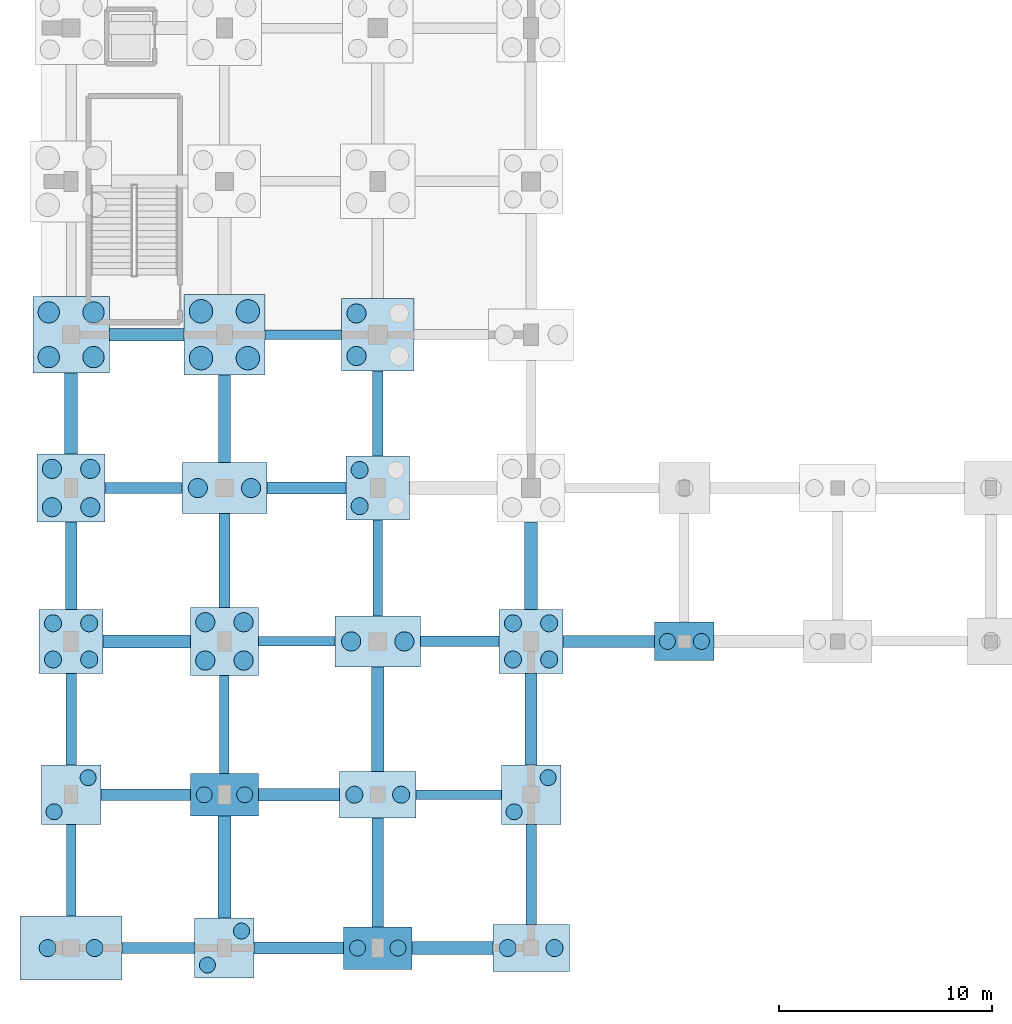
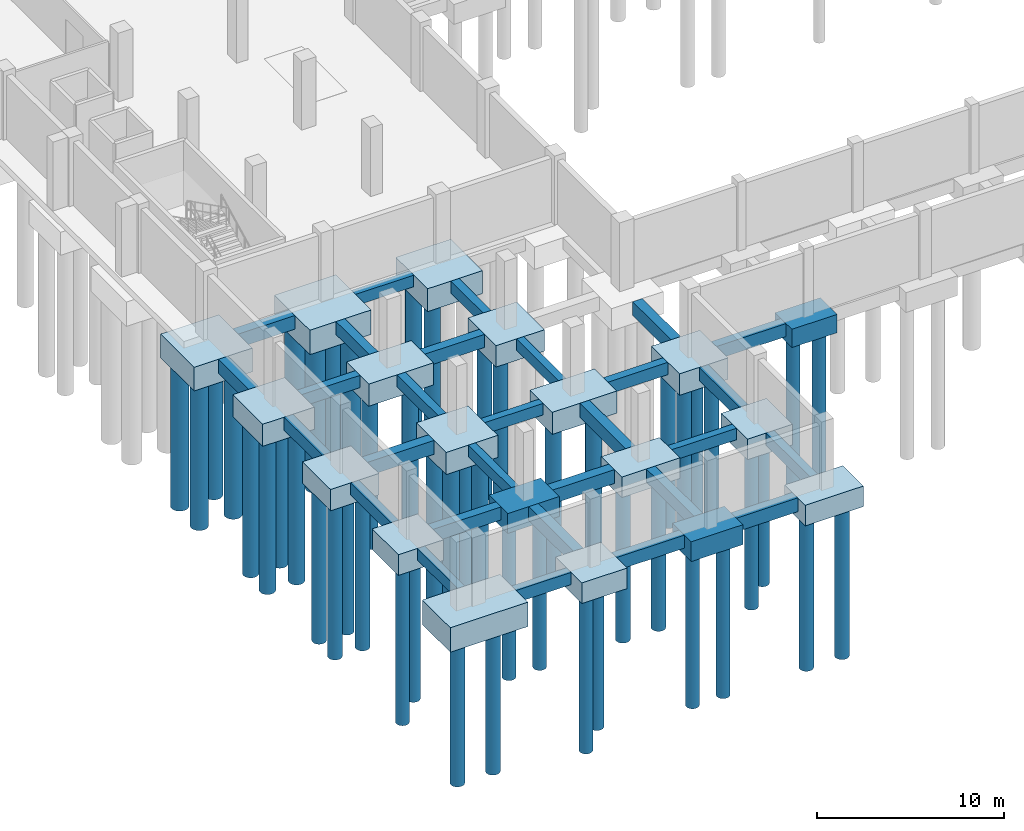
# One storey, part 1 of 35: 50 piles, 48 footings.
"""IFC4 building model written with IfcOpenShell, lengths in metres."""

from ifc_helpers import new_model, si_unit, direction, frame, origin, origin_2d, place, context, subcontext, project, spatial, rectangle, circle, extrude, material, material_profile, profile_set, type_object, element, save


model = new_model("IFC4")

# Units and contexts
model_context = context("Model", 3, precision=1e-05, world=origin(), true_north=direction((0.0, 1.0)))
body_context = subcontext(model_context, "Body", "Model", "MODEL_VIEW")
ifc_project = project(units=[si_unit("LENGTHUNIT", "METRE"), si_unit("AREAUNIT", "SQUARE_METRE"), si_unit("VOLUMEUNIT", "CUBIC_METRE"), si_unit("PLANEANGLEUNIT", "RADIAN"), si_unit("MASSUNIT", "GRAM", prefix="KILO")], contexts=[model_context])

# Site, building, storey
site_placement = place(None, origin())
site = spatial("IfcSite", under=ifc_project, at=site_placement, CompositionType="ELEMENT")
building_placement = place(site_placement, origin())
building = spatial("IfcBuilding", under=site, at=building_placement, Name="Kalluvel Institute of Natural Sciences", CompositionType="ELEMENT")
storey_placement = place(building_placement, frame((0.0, 0.0, -4.5)))
storey = spatial("IfcBuildingStorey", under=building, at=storey_placement, Name="B1", CompositionType="ELEMENT", Elevation=-4.5)

# Footings
ifc_material = material(Name="Concrete M40", Category="concrete")
footing_type_1 = type_object("IfcFootingType", Name="FB-450x750", PredefinedType="FOOTING_BEAM", material=ifc_material)
footing_1_placement = place(storey_placement, frame((32.199951171875, 21.199951171875, -0.75), z_axis=(0.0, 0.0, 1.0), x_axis=(1.0, 0.0, 0.0)))
element("IfcFooting", 1, at=footing_1_placement, inside=storey, type_object=footing_type_1, Name="Foundation tie beam GB-X-012", PredefinedType="FOOTING_BEAM", context=body_context, shape_type="SweptSolid", body=[
    extrude(rectangle(XDim=4.0, YDim=0.449951171875, at=origin_2d()), origin(), (0.0, 0.0, 1.0), 0.75),
])
for number, where, z_axis, x_axis, name in (
    (2, (24.60009765625, 28.39990234375, -0.75), (0.0, 0.0, 1.0), (1.0, 0.0, 0.0), "Foundation tie beam GB-X-016"),
    (3, (24.89990234375, 42.800048828125, -1.199951171875), (0.0, 0.0, 1.0), (1.0, 0.0, 0.0), "Foundation tie beam GB-X-048"),
):
    element("IfcFooting", number, at=place(storey_placement, frame(where, z_axis=z_axis, x_axis=x_axis)), inside=storey, type_object=footing_type_1, Name=name, PredefinedType="FOOTING_BEAM", context=body_context, shape_type="SweptSolid", body=[
        extrude(rectangle(XDim=3.60009765625, YDim=0.449951171875, at=origin_2d()), origin(), (0.0, 0.0, 1.0), 0.75),
    ])
footing_2_placement = place(storey_placement, frame((14.0, 17.64990234375, -0.75), z_axis=(0.0, 0.0, 1.0), x_axis=(1.0, 0.0, 0.0)))
element("IfcFooting", 4, at=footing_2_placement, inside=storey, type_object=footing_type_1, Name="Foundation tie beam GB-Y-196", PredefinedType="FOOTING_BEAM", context=body_context, shape_type="SweptSolid", body=[
    extrude(rectangle(XDim=0.449951171875, YDim=4.300048828125, at=origin_2d()), origin(), (0.0, 0.0, 1.0), 0.75),
])
footing_3_placement = place(storey_placement, frame((21.199951171875, 24.5, -0.75), z_axis=(0.0, 0.0, 1.0), x_axis=(1.0, 0.0, 0.0)))
element("IfcFooting", 5, at=footing_3_placement, inside=storey, type_object=footing_type_1, Name="Foundation tie beam GB-Y-212", PredefinedType="FOOTING_BEAM", context=body_context, shape_type="SweptSolid", body=[
    extrude(rectangle(XDim=0.449951171875, YDim=4.60009765625, at=origin_2d()), origin(), (0.0, 0.0, 1.0), 0.75),
])
footing_4_placement = place(storey_placement, frame((28.39990234375, 31.85009765625, -0.75), z_axis=(0.0, 0.0, 1.0), x_axis=(1.0, 0.0, 0.0)))
element("IfcFooting", 6, at=footing_4_placement, inside=storey, type_object=footing_type_1, Name="Foundation tie beam GB-Y-228", PredefinedType="FOOTING_BEAM", context=body_context, shape_type="SweptSolid", body=[
    extrude(rectangle(XDim=0.449951171875, YDim=4.5, at=origin_2d()), origin(), (0.0, 0.0, 1.0), 0.75),
])
footing_type_2 = type_object("IfcFootingType", Name="FB-500x800", PredefinedType="FOOTING_BEAM", material=ifc_material)
footing_5_placement = place(storey_placement, frame((18.10009765625, 14.0, -0.7998046875), z_axis=(0.0, 0.0, 1.0), x_axis=(1.0, 0.0, 0.0)))
element("IfcFooting", 7, at=footing_5_placement, inside=storey, type_object=footing_type_2, Name="Foundation tie beam GB-X-001", PredefinedType="FOOTING_BEAM", context=body_context, shape_type="SweptSolid", body=[
    extrude(rectangle(XDim=3.39990234375, YDim=0.5, at=origin_2d()), origin(), (0.0, 0.0, 1.0), 0.800048828125),
])
footing_6_placement = place(storey_placement, frame((32.25, 28.39990234375, -0.7998046875), z_axis=(0.0, 0.0, 1.0), x_axis=(1.0, 0.0, 0.0)))
element("IfcFooting", 8, at=footing_6_placement, inside=storey, type_object=footing_type_2, Name="Foundation tie beam GB-X-017", PredefinedType="FOOTING_BEAM", context=body_context, shape_type="SweptSolid", body=[
    extrude(rectangle(XDim=3.699951171875, YDim=0.5, at=origin_2d()), origin(), (0.0, 0.0, 1.0), 0.800048828125),
])
footing_7_placement = place(storey_placement, frame((17.39990234375, 35.60009765625, -0.7998046875), z_axis=(0.0, 0.0, 1.0), x_axis=(1.0, 0.0, 0.0)))
element("IfcFooting", 9, at=footing_7_placement, inside=storey, type_object=footing_type_2, Name="Foundation tie beam GB-X-029", PredefinedType="FOOTING_BEAM", context=body_context, shape_type="SweptSolid", body=[
    extrude(rectangle(XDim=3.60009765625, YDim=0.5, at=origin_2d()), origin(), (0.0, 0.0, 1.0), 0.800048828125),
])
footing_8_placement = place(storey_placement, frame((14.0, 24.75, -0.7998046875), z_axis=(0.0, 0.0, 1.0), x_axis=(1.0, 0.0, 0.0)))
element("IfcFooting", 10, at=footing_8_placement, inside=storey, type_object=footing_type_2, Name="Foundation tie beam GB-Y-197", PredefinedType="FOOTING_BEAM", context=body_context, shape_type="SweptSolid", body=[
    extrude(rectangle(XDim=0.5, YDim=4.300048828125, at=origin_2d()), origin(), (0.0, 0.0, 1.0), 0.800048828125),
])
footing_9_placement = place(storey_placement, frame((21.199951171875, 32.199951171875, -0.7998046875), z_axis=(0.0, 0.0, 1.0), x_axis=(1.0, 0.0, 0.0)))
element("IfcFooting", 11, at=footing_9_placement, inside=storey, type_object=footing_type_2, Name="Foundation tie beam GB-Y-213", PredefinedType="FOOTING_BEAM", context=body_context, shape_type="SweptSolid", body=[
    extrude(rectangle(XDim=0.5, YDim=4.39990234375, at=origin_2d()), origin(), (0.0, 0.0, 1.0), 0.800048828125),
])
footing_10_placement = place(storey_placement, frame((28.39990234375, 39.10009765625, -1.25), z_axis=(0.0, 0.0, 1.0), x_axis=(1.0, 0.0, 0.0)))
element("IfcFooting", 12, at=footing_10_placement, inside=storey, type_object=footing_type_2, Name="Foundation tie beam GB-Y-229", PredefinedType="FOOTING_BEAM", context=body_context, shape_type="SweptSolid", body=[
    extrude(rectangle(XDim=0.5, YDim=4.0, at=origin_2d()), origin(), (0.0, 0.0, 1.0), 0.800048828125),
])
footing_11_placement = place(storey_placement, frame((35.60009765625, 17.449951171875, -0.7998046875), z_axis=(0.0, 0.0, 1.0), x_axis=(1.0, 0.0, 0.0)))
element("IfcFooting", 13, at=footing_11_placement, inside=storey, type_object=footing_type_2, Name="Foundation tie beam GB-Y-241", PredefinedType="FOOTING_BEAM", context=body_context, shape_type="SweptSolid", body=[
    extrude(rectangle(XDim=0.5, YDim=4.699951171875, at=origin_2d()), origin(), (0.0, 0.0, 1.0), 0.800048828125),
])
footing_type_3 = type_object("IfcFootingType", Name="FB-550x850", PredefinedType="FOOTING_BEAM", material=ifc_material)
for number, where, z_axis, x_axis, name in (
    (14, (24.699951171875, 14.0, -0.85009765625), (0.0, 0.0, 1.0), (1.0, 0.0, 0.0), "Foundation tie beam GB-X-002"),
    (15, (17.5, 21.199951171875, -0.85009765625), (0.0, 0.0, 1.0), (1.0, 0.0, 0.0), "Foundation tie beam GB-X-010"),
):
    element("IfcFooting", number, at=place(storey_placement, frame(where, z_axis=z_axis, x_axis=x_axis)), inside=storey, type_object=footing_type_3, Name=name, PredefinedType="FOOTING_BEAM", context=body_context, shape_type="SweptSolid", body=[
        extrude(rectangle(XDim=4.199951171875, YDim=0.550048828125, at=origin_2d()), origin(), (0.0, 0.0, 1.0), 0.85009765625),
    ])
footing_12_placement = place(storey_placement, frame((39.25, 28.39990234375, -0.85009765625), z_axis=(0.0, 0.0, 1.0), x_axis=(1.0, 0.0, 0.0)))
element("IfcFooting", 16, at=footing_12_placement, inside=storey, type_object=footing_type_3, Name="Foundation tie beam GB-X-018", PredefinedType="FOOTING_BEAM", context=body_context, shape_type="SweptSolid", body=[
    extrude(rectangle(XDim=4.300048828125, YDim=0.550048828125, at=origin_2d()), origin(), (0.0, 0.0, 1.0), 0.85009765625),
])
footing_13_placement = place(storey_placement, frame((25.050048828125, 35.60009765625, -0.85009765625), z_axis=(0.0, 0.0, 1.0), x_axis=(1.0, 0.0, 0.0)))
element("IfcFooting", 17, at=footing_13_placement, inside=storey, type_object=footing_type_3, Name="Foundation tie beam GB-X-030", PredefinedType="FOOTING_BEAM", context=body_context, shape_type="SweptSolid", body=[
    extrude(rectangle(XDim=3.699951171875, YDim=0.550048828125, at=origin_2d()), origin(), (0.0, 0.0, 1.0), 0.85009765625),
])
for number, where, z_axis, x_axis, name in (
    (18, (14.0, 31.949951171875, -0.85009765625), (0.0, 0.0, 1.0), (1.0, 0.0, 0.0), "Foundation tie beam GB-Y-198"),
    (19, (21.199951171875, 38.85009765625, -1.300048828125), (0.0, 0.0, 1.0), (1.0, 0.0, 0.0), "Foundation tie beam GB-Y-214"),
):
    element("IfcFooting", number, at=place(storey_placement, frame(where, z_axis=z_axis, x_axis=x_axis)), inside=storey, type_object=footing_type_3, Name=name, PredefinedType="FOOTING_BEAM", context=body_context, shape_type="SweptSolid", body=[
        extrude(rectangle(XDim=0.550048828125, YDim=4.10009765625, at=origin_2d()), origin(), (0.0, 0.0, 1.0), 0.85009765625),
    ])
footing_14_placement = place(storey_placement, frame((28.39990234375, 17.550048828125, -0.85009765625), z_axis=(0.0, 0.0, 1.0), x_axis=(1.0, 0.0, 0.0)))
element("IfcFooting", 20, at=footing_14_placement, inside=storey, type_object=footing_type_3, Name="Foundation tie beam GB-Y-226", PredefinedType="FOOTING_BEAM", context=body_context, shape_type="SweptSolid", body=[
    extrude(rectangle(XDim=0.550048828125, YDim=5.10009765625, at=origin_2d()), origin(), (0.0, 0.0, 1.0), 0.85009765625),
])
footing_15_placement = place(storey_placement, frame((35.60009765625, 24.75, -0.85009765625), z_axis=(0.0, 0.0, 1.0), x_axis=(1.0, 0.0, 0.0)))
element("IfcFooting", 21, at=footing_15_placement, inside=storey, type_object=footing_type_3, Name="Foundation tie beam GB-Y-242", PredefinedType="FOOTING_BEAM", context=body_context, shape_type="SweptSolid", body=[
    extrude(rectangle(XDim=0.550048828125, YDim=4.300048828125, at=origin_2d()), origin(), (0.0, 0.0, 1.0), 0.85009765625),
])
footing_type_4 = type_object("IfcFootingType", Name="FB-600x900", PredefinedType="FOOTING_BEAM", material=ifc_material)
for number, where, z_axis, x_axis, name in (
    (22, (31.89990234375, 14.0, -0.89990234375), (0.0, 0.0, 1.0), (1.0, 0.0, 0.0), "Foundation tie beam GB-X-003"),
    (23, (24.699951171875, 21.199951171875, -0.89990234375), (0.0, 0.0, 1.0), (1.0, 0.0, 0.0), "Foundation tie beam GB-X-011"),
):
    element("IfcFooting", number, at=place(storey_placement, frame(where, z_axis=z_axis, x_axis=x_axis)), inside=storey, type_object=footing_type_4, Name=name, PredefinedType="FOOTING_BEAM", context=body_context, shape_type="SweptSolid", body=[
        extrude(rectangle(XDim=3.800048828125, YDim=0.60009765625, at=origin_2d()), origin(), (0.0, 0.0, 1.0), 0.89990234375),
    ])
footing_16_placement = place(storey_placement, frame((17.550048828125, 28.39990234375, -0.89990234375), z_axis=(0.0, 0.0, 1.0), x_axis=(1.0, 0.0, 0.0)))
element("IfcFooting", 24, at=footing_16_placement, inside=storey, type_object=footing_type_4, Name="Foundation tie beam GB-X-015", PredefinedType="FOOTING_BEAM", context=body_context, shape_type="SweptSolid", body=[
    extrude(rectangle(XDim=4.10009765625, YDim=0.60009765625, at=origin_2d()), origin(), (0.0, 0.0, 1.0), 0.89990234375),
])
footing_17_placement = place(storey_placement, frame((17.550048828125, 42.800048828125, -1.349853515625), z_axis=(0.0, 0.0, 1.0), x_axis=(1.0, 0.0, 0.0)))
element("IfcFooting", 25, at=footing_17_placement, inside=storey, type_object=footing_type_4, Name="Foundation tie beam GB-X-047", PredefinedType="FOOTING_BEAM", context=body_context, shape_type="SweptSolid", body=[
    extrude(rectangle(XDim=3.5, YDim=0.60009765625, at=origin_2d()), origin(), (0.0, 0.0, 1.0), 0.89990234375),
])
footing_18_placement = place(storey_placement, frame((14.0, 39.10009765625, -1.349853515625), z_axis=(0.0, 0.0, 1.0), x_axis=(1.0, 0.0, 0.0)))
element("IfcFooting", 26, at=footing_18_placement, inside=storey, type_object=footing_type_4, Name="Foundation tie beam GB-Y-199", PredefinedType="FOOTING_BEAM", context=body_context, shape_type="SweptSolid", body=[
    extrude(rectangle(XDim=0.60009765625, YDim=3.800048828125, at=origin_2d()), origin(), (0.0, 0.0, 1.0), 0.89990234375),
])
footing_19_placement = place(storey_placement, frame((21.199951171875, 17.800048828125, -0.89990234375), z_axis=(0.0, 0.0, 1.0), x_axis=(1.0, 0.0, 0.0)))
element("IfcFooting", 27, at=footing_19_placement, inside=storey, type_object=footing_type_4, Name="Foundation tie beam GB-Y-211", PredefinedType="FOOTING_BEAM", context=body_context, shape_type="SweptSolid", body=[
    extrude(rectangle(XDim=0.60009765625, YDim=4.800048828125, at=origin_2d()), origin(), (0.0, 0.0, 1.0), 0.89990234375),
])
footing_20_placement = place(storey_placement, frame((28.39990234375, 24.75, -0.89990234375), z_axis=(0.0, 0.0, 1.0), x_axis=(1.0, 0.0, 0.0)))
element("IfcFooting", 28, at=footing_20_placement, inside=storey, type_object=footing_type_4, Name="Foundation tie beam GB-Y-227", PredefinedType="FOOTING_BEAM", context=body_context, shape_type="SweptSolid", body=[
    extrude(rectangle(XDim=0.60009765625, YDim=4.89990234375, at=origin_2d()), origin(), (0.0, 0.0, 1.0), 0.89990234375),
])
footing_21_placement = place(storey_placement, frame((35.60009765625, 31.949951171875, -0.89990234375), z_axis=(0.0, 0.0, 1.0), x_axis=(1.0, 0.0, 0.0)))
element("IfcFooting", 29, at=footing_21_placement, inside=storey, type_object=footing_type_4, Name="Foundation tie beam GB-Y-243", PredefinedType="FOOTING_BEAM", context=body_context, shape_type="SweptSolid", body=[
    extrude(rectangle(XDim=0.60009765625, YDim=4.10009765625, at=origin_2d()), origin(), (0.0, 0.0, 1.0), 0.89990234375),
])
footing_type_5 = type_object("IfcFootingType", Name="PC-2800x1800x1200", PredefinedType="PILE_CAP", material=ifc_material)
footing_22_placement = place(storey_placement, frame((42.800048828125, 28.39990234375, -1.2001953125), z_axis=(0.0, 0.0, 1.0), x_axis=(1.0, 0.0, 0.0)))
element("IfcFooting", 30, at=footing_22_placement, inside=storey, type_object=footing_type_5, Name="Pile cap CAP-065", PredefinedType="PILE_CAP", context=body_context, shape_type="SweptSolid", body=[
    extrude(rectangle(XDim=2.800048828125, YDim=1.800048828125, at=origin_2d()), origin(), (0.0, 0.0, 1.0), 1.199951171875),
])
footing_type_6 = type_object("IfcFootingType", Name="PC-2800x2800x1350", PredefinedType="PILE_CAP", material=ifc_material)
for number, where, z_axis, x_axis, name in (
    (31, (14.0, 21.199951171875, -1.35009765625), (0.0, 0.0, 1.0), (1.0, 0.0, 0.0), "Pile cap CAP-002"),
    (32, (21.199951171875, 14.0, -1.35009765625), (0.0, 0.0, 1.0), (1.0, 0.0, 0.0), "Pile cap CAP-017"),
    (33, (35.60009765625, 21.199951171875, -1.35009765625), (0.0, 0.0, 1.0), (1.0, 0.0, 0.0), "Pile cap CAP-050"),
):
    element("IfcFooting", number, at=place(storey_placement, frame(where, z_axis=z_axis, x_axis=x_axis)), inside=storey, type_object=footing_type_6, Name=name, PredefinedType="PILE_CAP", context=body_context, shape_type="SweptSolid", body=[
        extrude(rectangle(XDim=2.800048828125, YDim=2.800048828125, at=origin_2d()), origin(), (0.0, 0.0, 1.0), 1.35009765625),
    ])
footing_type_7 = type_object("IfcFootingType", Name="PC-3000x3000x1400", PredefinedType="PILE_CAP", material=ifc_material)
for number, where, z_axis, x_axis, name in (
    (34, (14.0, 28.39990234375, -1.39990234375), (0.0, 0.0, 1.0), (1.0, 0.0, 0.0), "Pile cap CAP-003"),
    (35, (28.39990234375, 35.60009765625, -1.39990234375), (0.0, 0.0, 1.0), (1.0, 0.0, 0.0), "Pile cap CAP-036"),
    (36, (35.60009765625, 28.39990234375, -1.39990234375), (0.0, 0.0, 1.0), (1.0, 0.0, 0.0), "Pile cap CAP-051"),
):
    element("IfcFooting", number, at=place(storey_placement, frame(where, z_axis=z_axis, x_axis=x_axis)), inside=storey, type_object=footing_type_7, Name=name, PredefinedType="PILE_CAP", context=body_context, shape_type="SweptSolid", body=[
        extrude(rectangle(XDim=3.0, YDim=3.0, at=origin_2d()), origin(), (0.0, 0.0, 1.0), 1.39990234375),
    ])
footing_type_8 = type_object("IfcFootingType", Name="PC-3200x2000x1300", PredefinedType="PILE_CAP", material=ifc_material)
for number, where, z_axis, x_axis, name in (
    (37, (21.199951171875, 21.199951171875, -1.2998046875), (0.0, 0.0, 1.0), (1.0, 0.0, 0.0), "Pile cap CAP-018"),
    (38, (28.39990234375, 14.0, -1.2998046875), (0.0, 0.0, 1.0), (1.0, 0.0, 0.0), "Pile cap CAP-033"),
):
    element("IfcFooting", number, at=place(storey_placement, frame(where, z_axis=z_axis, x_axis=x_axis)), inside=storey, type_object=footing_type_8, Name=name, PredefinedType="PILE_CAP", context=body_context, shape_type="SweptSolid", body=[
        extrude(rectangle(XDim=3.199951171875, YDim=2.0, at=origin_2d()), origin(), (0.0, 0.0, 1.0), 1.300048828125),
    ])
footing_type_9 = type_object("IfcFootingType", Name="PC-3200x3200x1450", PredefinedType="PILE_CAP", material=ifc_material)
for number, where, z_axis, x_axis, name in (
    (39, (14.0, 35.60009765625, -1.4501953125), (0.0, 0.0, 1.0), (1.0, 0.0, 0.0), "Pile cap CAP-004"),
    (40, (21.199951171875, 28.39990234375, -1.4501953125), (0.0, 0.0, 1.0), (1.0, 0.0, 0.0), "Pile cap CAP-019"),
):
    element("IfcFooting", number, at=place(storey_placement, frame(where, z_axis=z_axis, x_axis=x_axis)), inside=storey, type_object=footing_type_9, Name=name, PredefinedType="PILE_CAP", context=body_context, shape_type="SweptSolid", body=[
        extrude(rectangle(XDim=3.199951171875, YDim=3.199951171875, at=origin_2d()), origin(), (0.0, 0.0, 1.0), 1.449951171875),
    ])
footing_type_10 = type_object("IfcFootingType", Name="PC-3400x3400x1500", PredefinedType="PILE_CAP", material=ifc_material)
footing_23_placement = place(storey_placement, frame((28.39990234375, 42.800048828125, -1.949951171875), z_axis=(0.0, 0.0, 1.0), x_axis=(1.0, 0.0, 0.0)))
element("IfcFooting", 41, at=footing_23_placement, inside=storey, type_object=footing_type_10, Name="Pile cap CAP-037", PredefinedType="PILE_CAP", context=body_context, shape_type="SweptSolid", body=[
    extrude(rectangle(XDim=3.39990234375, YDim=3.39990234375, at=origin_2d()), origin(), (0.0, 0.0, 1.0), 1.5),
])
footing_type_11 = type_object("IfcFootingType", Name="PC-3600x2200x1350", PredefinedType="PILE_CAP", material=ifc_material)
for number, where, z_axis, x_axis, name in (
    (42, (28.39990234375, 21.199951171875, -1.35009765625), (0.0, 0.0, 1.0), (1.0, 0.0, 0.0), "Pile cap CAP-034"),
    (43, (35.60009765625, 14.0, -1.35009765625), (0.0, 0.0, 1.0), (1.0, 0.0, 0.0), "Pile cap CAP-049"),
):
    element("IfcFooting", number, at=place(storey_placement, frame(where, z_axis=z_axis, x_axis=x_axis)), inside=storey, type_object=footing_type_11, Name=name, PredefinedType="PILE_CAP", context=body_context, shape_type="SweptSolid", body=[
        extrude(rectangle(XDim=3.60009765625, YDim=2.199951171875, at=origin_2d()), origin(), (0.0, 0.0, 1.0), 1.35009765625),
    ])
footing_type_12 = type_object("IfcFootingType", Name="PC-3600x3600x1550", PredefinedType="PILE_CAP", material=ifc_material)
footing_24_placement = place(storey_placement, frame((14.0, 42.800048828125, -2.0), z_axis=(0.0, 0.0, 1.0), x_axis=(1.0, 0.0, 0.0)))
element("IfcFooting", 44, at=footing_24_placement, inside=storey, type_object=footing_type_12, Name="Pile cap CAP-005", PredefinedType="PILE_CAP", context=body_context, shape_type="SweptSolid", body=[
    extrude(rectangle(XDim=3.60009765625, YDim=3.60009765625, at=origin_2d()), origin(), (0.0, 0.0, 1.0), 1.550048828125),
])
footing_type_13 = type_object("IfcFootingType", Name="PC-3800x3800x1600", PredefinedType="PILE_CAP", material=ifc_material)
footing_25_placement = place(storey_placement, frame((21.199951171875, 42.800048828125, -2.050048828125), z_axis=(0.0, 0.0, 1.0), x_axis=(1.0, 0.0, 0.0)))
element("IfcFooting", 45, at=footing_25_placement, inside=storey, type_object=footing_type_13, Name="Pile cap CAP-021", PredefinedType="PILE_CAP", context=body_context, shape_type="SweptSolid", body=[
    extrude(rectangle(XDim=3.800048828125, YDim=3.800048828125, at=origin_2d()), origin(), (0.0, 0.0, 1.0), 1.60009765625),
])
footing_type_14 = type_object("IfcFootingType", Name="PC-4000x2400x1450", PredefinedType="PILE_CAP", material=ifc_material)
for number, where, z_axis, x_axis, name in (
    (46, (21.199951171875, 35.60009765625, -1.4501953125), (0.0, 0.0, 1.0), (1.0, 0.0, 0.0), "Pile cap CAP-020"),
    (47, (28.39990234375, 28.39990234375, -1.4501953125), (0.0, 0.0, 1.0), (1.0, 0.0, 0.0), "Pile cap CAP-035"),
):
    element("IfcFooting", number, at=place(storey_placement, frame(where, z_axis=z_axis, x_axis=x_axis)), inside=storey, type_object=footing_type_14, Name=name, PredefinedType="PILE_CAP", context=body_context, shape_type="SweptSolid", body=[
        extrude(rectangle(XDim=4.0, YDim=2.39990234375, at=origin_2d()), origin(), (0.0, 0.0, 1.0), 1.449951171875),
    ])
footing_type_15 = type_object("IfcFootingType", Name="PC-4800x3000x1600", PredefinedType="PILE_CAP", material=ifc_material)
footing_26_placement = place(storey_placement, frame((14.0, 14.0, -1.60009765625), z_axis=(0.0, 0.0, 1.0), x_axis=(1.0, 0.0, 0.0)))
element("IfcFooting", 48, at=footing_26_placement, inside=storey, type_object=footing_type_15, Name="Pile cap CAP-001", PredefinedType="PILE_CAP", context=body_context, shape_type="SweptSolid", body=[
    extrude(rectangle(XDim=4.800048828125, YDim=3.0, at=origin_2d()), origin(), (0.0, 0.0, 1.0), 1.60009765625),
])

# Piles
ifc_material_profile_1 = material_profile(ifc_material, circle(Radius=0.5, at=origin_2d()), Name="PILE D1000")
ifc_profile_set_1 = profile_set([ifc_material_profile_1], Name="Concrete M40")
pile_type_1 = type_object("IfcPileType", Name="PILE-D1000", PredefinedType="BORED", material=ifc_profile_set_1)
for number, where, z_axis, x_axis, name in (
    (49, (12.949951171875, 41.75, -1.8798828125), (0.0, 0.0, -1.0), (1.0, 0.0, 0.0), "Bored rock-socketed pile PILE-X1295-Y4175"),
    (50, (15.050048828125, 41.75, -1.8798828125), (0.0, 0.0, -1.0), (1.0, 0.0, 0.0), "Bored rock-socketed pile PILE-X1505-Y4175"),
    (51, (12.949951171875, 43.85009765625, -1.8798828125), (0.0, 0.0, -1.0), (1.0, 0.0, 0.0), "Bored rock-socketed pile PILE-X1295-Y4385"),
    (52, (15.050048828125, 43.85009765625, -1.8798828125), (0.0, 0.0, -1.0), (1.0, 0.0, 0.0), "Bored rock-socketed pile PILE-X1505-Y4385"),
):
    element("IfcPile", number, at=place(storey_placement, frame(where, z_axis=z_axis, x_axis=x_axis)), inside=storey, type_object=pile_type_1, Name=name, PredefinedType="BORED", context=body_context, shape_type="SweptSolid", body=[
        extrude(circle(Radius=0.5, at=origin_2d()), origin(), (0.0, 0.0, 1.0), 9.6201171875),
    ])
ifc_material_profile_2 = material_profile(ifc_material, circle(Radius=0.550048828125, at=origin_2d()), Name="PILE D1100")
ifc_profile_set_2 = profile_set([ifc_material_profile_2], Name="Concrete M40")
pile_type_2 = type_object("IfcPileType", Name="PILE-D1100", PredefinedType="BORED", material=ifc_profile_set_2)
for number, where, z_axis, x_axis, name in (
    (53, (20.10009765625, 41.699951171875, -1.929931640625), (0.0, 0.0, -1.0), (1.0, 0.0, 0.0), "Bored rock-socketed pile PILE-X2010-Y4170"),
    (54, (22.300048828125, 41.699951171875, -1.929931640625), (0.0, 0.0, -1.0), (1.0, 0.0, 0.0), "Bored rock-socketed pile PILE-X2230-Y4170"),
    (55, (20.10009765625, 43.89990234375, -1.929931640625), (0.0, 0.0, -1.0), (1.0, 0.0, 0.0), "Bored rock-socketed pile PILE-X2010-Y4390"),
    (56, (22.300048828125, 43.89990234375, -1.929931640625), (0.0, 0.0, -1.0), (1.0, 0.0, 0.0), "Bored rock-socketed pile PILE-X2230-Y4390"),
):
    element("IfcPile", number, at=place(storey_placement, frame(where, z_axis=z_axis, x_axis=x_axis)), inside=storey, type_object=pile_type_2, Name=name, PredefinedType="BORED", context=body_context, shape_type="SweptSolid", body=[
        extrude(circle(Radius=0.550048828125, at=origin_2d()), origin(), (0.0, 0.0, 1.0), 9.570068359375),
    ])
ifc_material_profile_3 = material_profile(ifc_material, circle(Radius=0.375, at=origin_2d()), Name="PILE D750")
ifc_profile_set_3 = profile_set([ifc_material_profile_3], Name="Concrete M40")
pile_type_3 = type_object("IfcPileType", Name="PILE-D750", PredefinedType="BORED", material=ifc_profile_set_3)
for number, where, z_axis, x_axis, name in (
    (57, (13.199951171875, 20.39990234375, -1.22998046875), (0.0, 0.0, -1.0), (1.0, 0.0, 0.0), "Bored rock-socketed pile PILE-X1320-Y2040"),
    (58, (14.800048828125, 22.0, -1.22998046875), (0.0, 0.0, -1.0), (1.0, 0.0, 0.0), "Bored rock-socketed pile PILE-X1480-Y2200"),
    (59, (20.39990234375, 13.199951171875, -1.22998046875), (0.0, 0.0, -1.0), (1.0, 0.0, 0.0), "Bored rock-socketed pile PILE-X2040-Y1320"),
    (60, (22.0, 14.800048828125, -1.22998046875), (0.0, 0.0, -1.0), (1.0, 0.0, 0.0), "Bored rock-socketed pile PILE-X2200-Y1480"),
):
    element("IfcPile", number, at=place(storey_placement, frame(where, z_axis=z_axis, x_axis=x_axis)), inside=storey, type_object=pile_type_3, Name=name, PredefinedType="BORED", context=body_context, shape_type="SweptSolid", body=[
        extrude(circle(Radius=0.375, at=origin_2d()), origin(), (0.0, 0.0, 1.0), 10.27001953125),
    ])
for number, where, z_axis, x_axis, name in (
    (61, (20.25, 21.199951171875, -1.179931640625), (0.0, 0.0, -1.0), (1.0, 0.0, 0.0), "Bored rock-socketed pile PILE-X2025-Y2120"),
    (62, (22.14990234375, 21.199951171875, -1.179931640625), (0.0, 0.0, -1.0), (1.0, 0.0, 0.0), "Bored rock-socketed pile PILE-X2215-Y2120"),
    (63, (27.449951171875, 14.0, -1.179931640625), (0.0, 0.0, -1.0), (1.0, 0.0, 0.0), "Bored rock-socketed pile PILE-X2745-Y1400"),
    (64, (29.35009765625, 14.0, -1.179931640625), (0.0, 0.0, -1.0), (1.0, 0.0, 0.0), "Bored rock-socketed pile PILE-X2935-Y1400"),
):
    element("IfcPile", number, at=place(storey_placement, frame(where, z_axis=z_axis, x_axis=x_axis)), inside=storey, type_object=pile_type_3, Name=name, PredefinedType="BORED", context=body_context, shape_type="SweptSolid", body=[
        extrude(circle(Radius=0.375, at=origin_2d()), origin(), (0.0, 0.0, 1.0), 10.320068359375),
    ])
for number, where, z_axis, x_axis, name in (
    (65, (34.800048828125, 20.39990234375, -1.22998046875), (0.0, 0.0, -1.0), (1.0, 0.0, 0.0), "Bored rock-socketed pile PILE-X3480-Y2040"),
    (66, (36.39990234375, 22.0, -1.22998046875), (0.0, 0.0, -1.0), (1.0, 0.0, 0.0), "Bored rock-socketed pile PILE-X3640-Y2200"),
):
    element("IfcPile", number, at=place(storey_placement, frame(where, z_axis=z_axis, x_axis=x_axis)), inside=storey, type_object=pile_type_3, Name=name, PredefinedType="BORED", context=body_context, shape_type="SweptSolid", body=[
        extrude(circle(Radius=0.375, at=origin_2d()), origin(), (0.0, 0.0, 1.0), 10.27001953125),
    ])
for number, where, z_axis, x_axis, name in (
    (67, (42.0, 28.39990234375, -1.080078125), (0.0, 0.0, -1.0), (1.0, 0.0, 0.0), "Bored rock-socketed pile PILE-X4200-Y2840"),
    (68, (43.60009765625, 28.39990234375, -1.080078125), (0.0, 0.0, -1.0), (1.0, 0.0, 0.0), "Bored rock-socketed pile PILE-X4360-Y2840"),
):
    element("IfcPile", number, at=place(storey_placement, frame(where, z_axis=z_axis, x_axis=x_axis)), inside=storey, type_object=pile_type_3, Name=name, PredefinedType="BORED", context=body_context, shape_type="SweptSolid", body=[
        extrude(circle(Radius=0.375, at=origin_2d()), origin(), (0.0, 0.0, 1.0), 10.419921875),
    ])
ifc_material_profile_4 = material_profile(ifc_material, circle(Radius=0.39990234375, at=origin_2d()), Name="PILE D800")
ifc_profile_set_4 = profile_set([ifc_material_profile_4], Name="Concrete M40")
pile_type_4 = type_object("IfcPileType", Name="PILE-D800", PredefinedType="BORED", material=ifc_profile_set_4)
for number, where, z_axis, x_axis, name in (
    (69, (12.89990234375, 14.0, -1.47998046875), (0.0, 0.0, -1.0), (1.0, 0.0, 0.0), "Bored rock-socketed pile PILE-X1290-Y1400"),
    (70, (15.10009765625, 14.0, -1.47998046875), (0.0, 0.0, -1.0), (1.0, 0.0, 0.0), "Bored rock-socketed pile PILE-X1510-Y1400"),
):
    element("IfcPile", number, at=place(storey_placement, frame(where, z_axis=z_axis, x_axis=x_axis)), inside=storey, type_object=pile_type_4, Name=name, PredefinedType="BORED", context=body_context, shape_type="SweptSolid", body=[
        extrude(circle(Radius=0.39990234375, at=origin_2d()), origin(), (0.0, 0.0, 1.0), 10.02001953125),
    ])
for number, where, z_axis, x_axis, name in (
    (71, (13.14990234375, 27.550048828125, -1.280029296875), (0.0, 0.0, -1.0), (1.0, 0.0, 0.0), "Bored rock-socketed pile PILE-X1315-Y2755"),
    (72, (14.85009765625, 27.550048828125, -1.280029296875), (0.0, 0.0, -1.0), (1.0, 0.0, 0.0), "Bored rock-socketed pile PILE-X1485-Y2755"),
    (73, (13.14990234375, 29.25, -1.280029296875), (0.0, 0.0, -1.0), (1.0, 0.0, 0.0), "Bored rock-socketed pile PILE-X1315-Y2925"),
    (74, (14.85009765625, 29.25, -1.280029296875), (0.0, 0.0, -1.0), (1.0, 0.0, 0.0), "Bored rock-socketed pile PILE-X1485-Y2925"),
):
    element("IfcPile", number, at=place(storey_placement, frame(where, z_axis=z_axis, x_axis=x_axis)), inside=storey, type_object=pile_type_4, Name=name, PredefinedType="BORED", context=body_context, shape_type="SweptSolid", body=[
        extrude(circle(Radius=0.39990234375, at=origin_2d()), origin(), (0.0, 0.0, 1.0), 10.219970703125),
    ])
for number, where, z_axis, x_axis, name in (
    (75, (27.300048828125, 21.199951171875, -1.22998046875), (0.0, 0.0, -1.0), (1.0, 0.0, 0.0), "Bored rock-socketed pile PILE-X2730-Y2120"),
    (76, (29.5, 21.199951171875, -1.22998046875), (0.0, 0.0, -1.0), (1.0, 0.0, 0.0), "Bored rock-socketed pile PILE-X2950-Y2120"),
):
    element("IfcPile", number, at=place(storey_placement, frame(where, z_axis=z_axis, x_axis=x_axis)), inside=storey, type_object=pile_type_4, Name=name, PredefinedType="BORED", context=body_context, shape_type="SweptSolid", body=[
        extrude(circle(Radius=0.39990234375, at=origin_2d()), origin(), (0.0, 0.0, 1.0), 10.27001953125),
    ])
for number, where, z_axis, x_axis, name in (
    (77, (27.550048828125, 34.75, -1.280029296875), (0.0, 0.0, -1.0), (1.0, 0.0, 0.0), "Bored rock-socketed pile PILE-X2755-Y3475"),
    (78, (27.550048828125, 36.449951171875, -1.280029296875), (0.0, 0.0, -1.0), (1.0, 0.0, 0.0), "Bored rock-socketed pile PILE-X2755-Y3645"),
):
    element("IfcPile", number, at=place(storey_placement, frame(where, z_axis=z_axis, x_axis=x_axis)), inside=storey, type_object=pile_type_4, Name=name, PredefinedType="BORED", context=body_context, shape_type="SweptSolid", body=[
        extrude(circle(Radius=0.39990234375, at=origin_2d()), origin(), (0.0, 0.0, 1.0), 10.219970703125),
    ])
for number, where, z_axis, x_axis, name in (
    (79, (34.5, 14.0, -1.22998046875), (0.0, 0.0, -1.0), (1.0, 0.0, 0.0), "Bored rock-socketed pile PILE-X3450-Y1400"),
    (80, (36.699951171875, 14.0, -1.22998046875), (0.0, 0.0, -1.0), (1.0, 0.0, 0.0), "Bored rock-socketed pile PILE-X3670-Y1400"),
):
    element("IfcPile", number, at=place(storey_placement, frame(where, z_axis=z_axis, x_axis=x_axis)), inside=storey, type_object=pile_type_4, Name=name, PredefinedType="BORED", context=body_context, shape_type="SweptSolid", body=[
        extrude(circle(Radius=0.39990234375, at=origin_2d()), origin(), (0.0, 0.0, 1.0), 10.27001953125),
    ])
for number, where, z_axis, x_axis, name in (
    (81, (34.75, 27.550048828125, -1.280029296875), (0.0, 0.0, -1.0), (1.0, 0.0, 0.0), "Bored rock-socketed pile PILE-X3475-Y2755"),
    (82, (36.449951171875, 27.550048828125, -1.280029296875), (0.0, 0.0, -1.0), (1.0, 0.0, 0.0), "Bored rock-socketed pile PILE-X3645-Y2755"),
    (83, (34.75, 29.25, -1.280029296875), (0.0, 0.0, -1.0), (1.0, 0.0, 0.0), "Bored rock-socketed pile PILE-X3475-Y2925"),
    (84, (36.449951171875, 29.25, -1.280029296875), (0.0, 0.0, -1.0), (1.0, 0.0, 0.0), "Bored rock-socketed pile PILE-X3645-Y2925"),
):
    element("IfcPile", number, at=place(storey_placement, frame(where, z_axis=z_axis, x_axis=x_axis)), inside=storey, type_object=pile_type_4, Name=name, PredefinedType="BORED", context=body_context, shape_type="SweptSolid", body=[
        extrude(circle(Radius=0.39990234375, at=origin_2d()), origin(), (0.0, 0.0, 1.0), 10.219970703125),
    ])
ifc_material_profile_5 = material_profile(ifc_material, circle(Radius=0.449951171875, at=origin_2d()), Name="PILE D900")
ifc_profile_set_5 = profile_set([ifc_material_profile_5], Name="Concrete M40")
pile_type_5 = type_object("IfcPileType", Name="PILE-D900", PredefinedType="BORED", material=ifc_profile_set_5)
for number, where, z_axis, x_axis, name in (
    (85, (13.10009765625, 34.699951171875, -1.330078125), (0.0, 0.0, -1.0), (1.0, 0.0, 0.0), "Bored rock-socketed pile PILE-X1310-Y3470"),
    (86, (14.89990234375, 34.699951171875, -1.330078125), (0.0, 0.0, -1.0), (1.0, 0.0, 0.0), "Bored rock-socketed pile PILE-X1490-Y3470"),
    (87, (13.10009765625, 36.5, -1.330078125), (0.0, 0.0, -1.0), (1.0, 0.0, 0.0), "Bored rock-socketed pile PILE-X1310-Y3650"),
    (88, (14.89990234375, 36.5, -1.330078125), (0.0, 0.0, -1.0), (1.0, 0.0, 0.0), "Bored rock-socketed pile PILE-X1490-Y3650"),
    (89, (20.300048828125, 27.5, -1.330078125), (0.0, 0.0, -1.0), (1.0, 0.0, 0.0), "Bored rock-socketed pile PILE-X2030-Y2750"),
    (90, (22.10009765625, 27.5, -1.330078125), (0.0, 0.0, -1.0), (1.0, 0.0, 0.0), "Bored rock-socketed pile PILE-X2210-Y2750"),
    (91, (20.300048828125, 29.300048828125, -1.330078125), (0.0, 0.0, -1.0), (1.0, 0.0, 0.0), "Bored rock-socketed pile PILE-X2030-Y2930"),
    (92, (22.10009765625, 29.300048828125, -1.330078125), (0.0, 0.0, -1.0), (1.0, 0.0, 0.0), "Bored rock-socketed pile PILE-X2210-Y2930"),
    (93, (19.949951171875, 35.60009765625, -1.330078125), (0.0, 0.0, -1.0), (1.0, 0.0, 0.0), "Bored rock-socketed pile PILE-X1995-Y3560"),
    (94, (22.449951171875, 35.60009765625, -1.330078125), (0.0, 0.0, -1.0), (1.0, 0.0, 0.0), "Bored rock-socketed pile PILE-X2245-Y3560"),
    (95, (27.14990234375, 28.39990234375, -1.330078125), (0.0, 0.0, -1.0), (1.0, 0.0, 0.0), "Bored rock-socketed pile PILE-X2715-Y2840"),
    (96, (29.64990234375, 28.39990234375, -1.330078125), (0.0, 0.0, -1.0), (1.0, 0.0, 0.0), "Bored rock-socketed pile PILE-X2965-Y2840"),
):
    element("IfcPile", number, at=place(storey_placement, frame(where, z_axis=z_axis, x_axis=x_axis)), inside=storey, type_object=pile_type_5, Name=name, PredefinedType="BORED", context=body_context, shape_type="SweptSolid", body=[
        extrude(circle(Radius=0.449951171875, at=origin_2d()), origin(), (0.0, 0.0, 1.0), 10.169921875),
    ])
for number, where, z_axis, x_axis, name in (
    (97, (27.39990234375, 41.800048828125, -1.830078125), (0.0, 0.0, -1.0), (1.0, 0.0, 0.0), "Bored rock-socketed pile PILE-X2740-Y4180"),
    (98, (27.39990234375, 43.800048828125, -1.830078125), (0.0, 0.0, -1.0), (1.0, 0.0, 0.0), "Bored rock-socketed pile PILE-X2740-Y4380"),
):
    element("IfcPile", number, at=place(storey_placement, frame(where, z_axis=z_axis, x_axis=x_axis)), inside=storey, type_object=pile_type_5, Name=name, PredefinedType="BORED", context=body_context, shape_type="SweptSolid", body=[
        extrude(circle(Radius=0.449951171875, at=origin_2d()), origin(), (0.0, 0.0, 1.0), 9.669921875),
    ])

save(model, "model.ifc")
